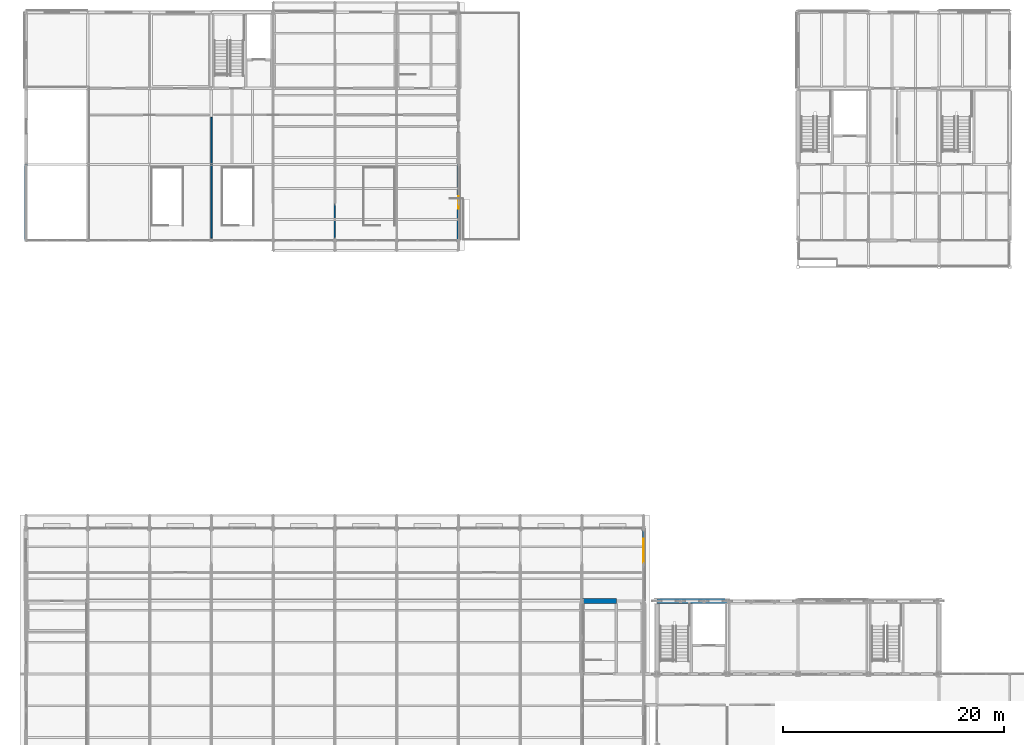
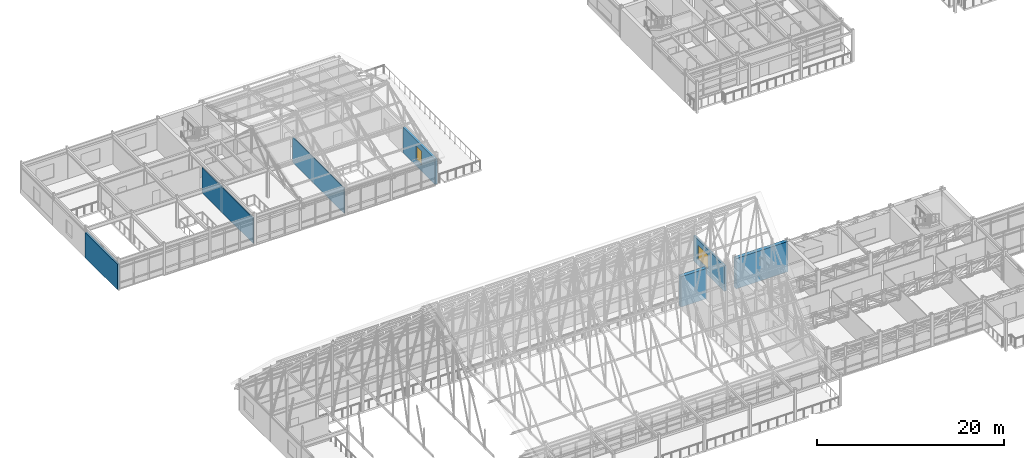
# One storey, part 129 of 144: 7 walls, 2 windows, 2 openings.
"""IFC4 building model written with IfcOpenShell, lengths in metres."""

from ifc_helpers import new_model, si_unit, direction, frame, frame_2d, origin, place, context, subcontext, project, spatial, rectangle, extrude, material, layer, layer_set, type_object, element, fill, save


model = new_model("IFC4")

# Units and contexts
model_context = context("Model", 3, precision=1e-05, world=origin(), true_north=direction((0.0, 1.0)))
body_context = subcontext(model_context, "Body", "Model", "MODEL_VIEW")
ifc_project = project(units=[si_unit("LENGTHUNIT", "METRE"), si_unit("AREAUNIT", "SQUARE_METRE"), si_unit("VOLUMEUNIT", "CUBIC_METRE"), si_unit("PLANEANGLEUNIT", "RADIAN"), si_unit("MASSUNIT", "GRAM", prefix="KILO")], contexts=[model_context])

# Site, building, storey
site_placement = place(None, origin())
site = spatial("IfcSite", under=ifc_project, at=site_placement, CompositionType="ELEMENT")
building_placement = place(site_placement, origin())
building = spatial("IfcBuilding", under=site, at=building_placement, Name="Trelmorton Wharf Fire Station", CompositionType="ELEMENT")
storey_placement = place(building_placement, frame((0.0, 0.0, 5.39990234375)))
storey = spatial("IfcBuildingStorey", under=building, at=storey_placement, Name="L01", CompositionType="ELEMENT", Elevation=5.39990234375)

# Wall, opening, window
ifc_material_1 = material(Name="Precast concrete 45 MPa", Category="concrete")
ifc_layer_1 = layer(ifc_material_1, 0.22998046875)
ifc_layer_set_1 = layer_set([ifc_layer_1], Name="Precast concrete 45 MPa")
wall_type_1 = type_object("IfcWallType", Name="EW_PREC_230", PredefinedType="SOLIDWALL", material=ifc_layer_set_1)
wall_1_placement = place(storey_placement, frame((56.800048828125, 34.195068359375, 0.0), z_axis=(0.0, 0.0, 1.0), x_axis=(0.0, -1.0, 0.0)))
wall_1 = element("IfcWall", 1, at=wall_1_placement, inside=storey, type_object=wall_type_1, Name="EW-V1-L01-0036", PredefinedType="SOLIDWALL", context=body_context, shape_type="SweptSolid", body=[
    extrude(rectangle(XDim=6.590087890625, YDim=0.22998046875, at=frame_2d((3.294921875, 0.0))), origin(), (0.0, 0.0, 1.0), 3.320068359375),
])
opening_1_placement = place(wall_1_placement, frame((0.91259765625, 0.0, 0.800048828125)))
opening_1 = element("IfcOpeningElement", 2, at=opening_1_placement, cuts=wall_1, Name="Opening W12", PredefinedType="OPENING", context=body_context, shape_type="SweptSolid", body=[
    extrude(rectangle(XDim=2.199951171875, YDim=1.800048828125, at=frame_2d((1.10009765625, 0.89990234375))), frame((0.0, 0.125, 0.0), z_axis=(0.0, -1.0, 0.0), x_axis=(1.0, 0.0, 0.0)), (0.0, 0.0, 1.0), 0.25),
])
ifc_material_2 = material(Name="Tempered low-E double glazing", Category="glass")
window_type_1 = type_object("IfcWindowType", Name="WIN_W12", PartitioningType="DOUBLE_PANEL_VERTICAL", PredefinedType="WINDOW", material=ifc_material_2)
window_1_placement = place(opening_1_placement, origin())
window_1 = element("IfcWindow", 3, at=window_1_placement, inside=storey, type_object=window_type_1, Name="WN-V1-L01-0011", OverallHeight=1.800048828125, OverallWidth=2.199951171875, PartitioningType="DOUBLE_PANEL_VERTICAL", PredefinedType="WINDOW", context=body_context, shape_type="SweptSolid", body=[
    extrude(rectangle(XDim=2.199951171875, YDim=1.800048828125, at=frame_2d((1.10009765625, 0.89990234375))), frame((0.0, 0.030029296875, 0.0), z_axis=(0.0, -1.0, 0.0), x_axis=(1.0, 0.0, 0.0)), (0.0, 0.0, 1.0), 0.06005859375),
])
fill(opening_1, window_1)

# Wall
ifc_layer_2 = layer(ifc_material_1, 0.27001953125)
ifc_layer_set_2 = layer_set([ifc_layer_2], Name="Precast concrete 45 MPa")
wall_type_2 = type_object("IfcWallType", Name="EW_PREC_270", PredefinedType="SOLIDWALL", material=ifc_layer_set_2)
wall_2_placement = place(storey_placement, frame((0.800048828125, 60.304931640625, 0.0), z_axis=(0.0, 0.0, 1.0), x_axis=(0.0, 1.0, 0.0)))
element("IfcWall", 4, at=wall_2_placement, inside=storey, type_object=wall_type_2, Name="EW-V6-L01-0146", PredefinedType="SOLIDWALL", context=body_context, shape_type="SweptSolid", body=[
    extrude(rectangle(XDim=6.89013671875, YDim=0.27001953125, at=frame_2d((3.445068359375, 0.0))), origin(), (0.0, 0.0, 1.0), 3.320068359375),
])

# Wall, opening, window
ifc_layer_3 = layer(ifc_material_1, 0.2900390625)
ifc_layer_set_3 = layer_set([ifc_layer_3], Name="Precast concrete 45 MPa")
wall_type_3 = type_object("IfcWallType", Name="EW_TERR_290", PredefinedType="SOLIDWALL", material=ifc_layer_set_3)
wall_3_placement = place(storey_placement, frame((40.0, 67.195068359375, 0.0), z_axis=(0.0, 0.0, 1.0), x_axis=(0.0, -1.0, 0.0)))
wall_3 = element("IfcWall", 5, at=wall_3_placement, inside=storey, type_object=wall_type_3, Name="EW-V6-L01-0147", PredefinedType="SOLIDWALL", context=body_context, shape_type="SweptSolid", body=[
    extrude(rectangle(XDim=6.89013671875, YDim=0.2900390625, at=frame_2d((3.445068359375, 0.0))), origin(), (0.0, 0.0, 1.0), 3.320068359375),
])
opening_2_placement = place(wall_3_placement, frame((2.8701171875, 0.0, 0.800048828125)))
opening_2 = element("IfcOpeningElement", 6, at=opening_2_placement, cuts=wall_3, Name="Opening W17", PredefinedType="OPENING", context=body_context, shape_type="SweptSolid", body=[
    extrude(rectangle(XDim=1.14990234375, YDim=1.800048828125, at=frame_2d((0.574951171875, 0.89990234375))), frame((0.0, 0.155029296875, 0.0), z_axis=(0.0, -1.0, 0.0), x_axis=(1.0, 0.0, 0.0)), (0.0, 0.0, 1.0), 0.31005859375),
])
window_type_2 = type_object("IfcWindowType", Name="WIN_W17", PartitioningType="SINGLE_PANEL", PredefinedType="WINDOW", material=ifc_material_2)
window_2_placement = place(opening_2_placement, origin())
window_2 = element("IfcWindow", 7, at=window_2_placement, inside=storey, type_object=window_type_2, Name="WN-V6-L01-0079", OverallHeight=1.800048828125, OverallWidth=1.14990234375, PartitioningType="SINGLE_PANEL", PredefinedType="WINDOW", context=body_context, shape_type="SweptSolid", body=[
    extrude(rectangle(XDim=1.14990234375, YDim=1.800048828125, at=frame_2d((0.574951171875, 0.89990234375))), frame((0.0, 0.030029296875, 0.0), z_axis=(0.0, -1.0, 0.0), x_axis=(1.0, 0.0, 0.0)), (0.0, 0.0, 1.0), 0.06005859375),
])
fill(opening_2, window_2)

# Walls
ifc_material_3 = material(Name="Gypsum plasterboard partition")
ifc_layer_4 = layer(ifc_material_3, 0.110107421875)
ifc_layer_set_4 = layer_set([ifc_layer_4], Name="Gypsum plasterboard partition")
wall_type_4 = type_object("IfcWallType", Name="IW_PART_110", PredefinedType="PARTITIONING", material=ifc_layer_set_4)
wall_4_placement = place(storey_placement, frame((28.800048828125, 60.52001953125, 0.0), z_axis=(0.0, 0.0, 1.0), x_axis=(0.0, 1.0, 0.0)))
element("IfcWall", 8, at=wall_4_placement, inside=storey, type_object=wall_type_4, Name="IW-L01-0097", PredefinedType="PARTITIONING", context=body_context, shape_type="SweptSolid", body=[
    extrude(rectangle(XDim=10.9599609375, YDim=0.110107421875, at=frame_2d((5.47998046875, 0.0))), origin(), (0.0, 0.0, 1.0), 3.300048828125),
])
ifc_layer_5 = layer(ifc_material_3, 0.1298828125)
ifc_layer_set_5 = layer_set([ifc_layer_5], Name="Gypsum plasterboard partition")
wall_type_5 = type_object("IfcWallType", Name="IW_PART_130", PredefinedType="PARTITIONING", material=ifc_layer_set_5)
wall_5_placement = place(storey_placement, frame((17.60009765625, 60.52001953125, 0.0), z_axis=(0.0, 0.0, 1.0), x_axis=(0.0, 1.0, 0.0)))
element("IfcWall", 9, at=wall_5_placement, inside=storey, type_object=wall_type_5, Name="IW-L01-0095", PredefinedType="PARTITIONING", context=body_context, shape_type="SweptSolid", body=[
    extrude(rectangle(XDim=10.9599609375, YDim=0.1298828125, at=frame_2d((5.47998046875, 0.0))), origin(), (0.0, 0.0, 1.0), 3.300048828125),
])
ifc_material_4 = material(Name="Concrete 50 MPa", Category="concrete")
ifc_layer_6 = layer(ifc_material_4, 0.43994140625)
ifc_layer_set_6 = layer_set([ifc_layer_6], Name="Concrete 50 MPa")
wall_type_6 = type_object("IfcWallType", Name="WL_CORE_440", PredefinedType="SHEAR", material=ifc_layer_set_6)
wall_6_placement = place(storey_placement, frame((51.199951171875, 27.60009765625, 0.0), z_axis=(0.0, 0.0, 1.0), x_axis=(1.0, 0.0, 0.0)))
element("IfcWall", 10, at=wall_6_placement, inside=storey, type_object=wall_type_6, Name="WL-SW-C1-L01-004", PredefinedType="SHEAR", context=body_context, shape_type="SweptSolid", body=[
    extrude(rectangle(XDim=3.1201171875, YDim=0.43994140625, at=frame_2d((1.56005859375, 0.0))), origin(), (0.0, 0.0, 1.0), 3.960205078125),
])
wall_7_placement = place(storey_placement, frame((58.0, 27.60009765625, 0.0), z_axis=(0.0, 0.0, 1.0), x_axis=(1.0, 0.0, 0.0)))
element("IfcWall", 11, at=wall_7_placement, inside=storey, type_object=wall_type_6, Name="WL-SW-C2-L01-010", PredefinedType="SHEAR", context=body_context, shape_type="SweptSolid", body=[
    extrude(rectangle(XDim=6.39990234375, YDim=0.43994140625, at=frame_2d((3.199951171875, 0.0))), origin(), (0.0, 0.0, 1.0), 3.960205078125),
])

save(model, "model.ifc")
